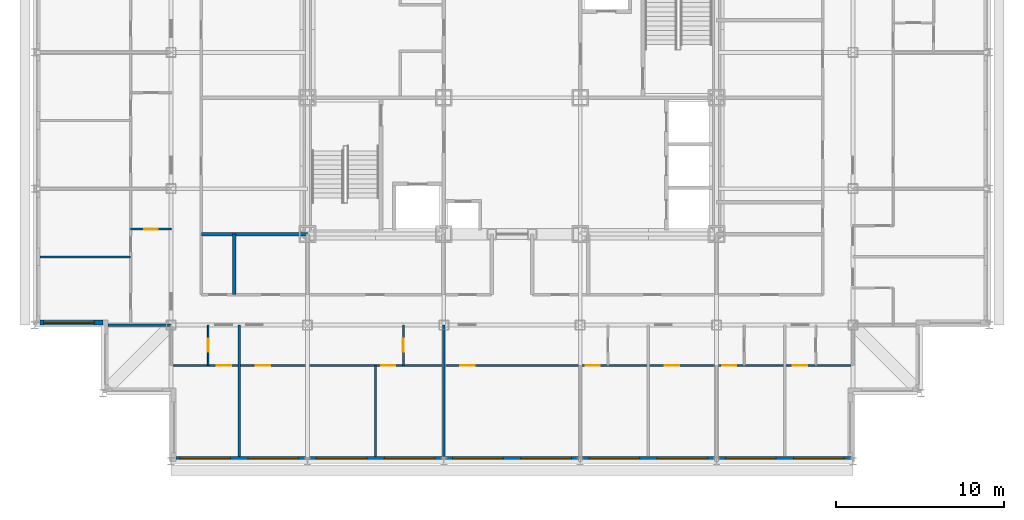
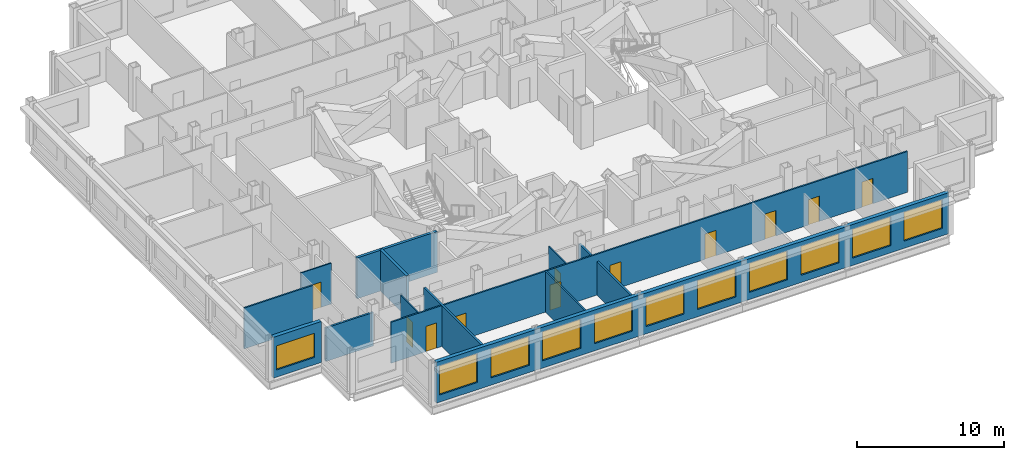
# One storey, part 4 of 12: 13 walls, 11 doors, 11 windows, 22 openings.
"""IFC4 building model written with IfcOpenShell, lengths in metres."""

from ifc_helpers import new_model, si_unit, direction, frame, frame_2d, origin, place, context, subcontext, project, spatial, rectangle, extrude, material, layer, layer_set, type_object, element, fill, save


model = new_model("IFC4")

# Units and contexts
model_context = context("Model", 3, precision=1e-05, world=origin(), true_north=direction((0.0, 1.0)))
body_context = subcontext(model_context, "Body", "Model", "MODEL_VIEW")
ifc_project = project(units=[si_unit("LENGTHUNIT", "METRE"), si_unit("AREAUNIT", "SQUARE_METRE"), si_unit("VOLUMEUNIT", "CUBIC_METRE"), si_unit("PLANEANGLEUNIT", "RADIAN"), si_unit("MASSUNIT", "GRAM", prefix="KILO")], contexts=[model_context])

# Site, building, storey
site_placement = place(None, origin())
site = spatial("IfcSite", under=ifc_project, at=site_placement, CompositionType="ELEMENT")
building_placement = place(site_placement, origin())
building = spatial("IfcBuilding", under=site, at=building_placement, Name="Kopane Lantern Tower", CompositionType="ELEMENT")
storey_placement = place(building_placement, frame((0.0, 0.0, 199.199951171875)))
storey = spatial("IfcBuildingStorey", under=building, at=storey_placement, Name="L51", CompositionType="ELEMENT", Elevation=199.199951171875)

# Walls
ifc_material_1 = material(Name="Gypsum board on steel studs", Category="steel")
ifc_layer_1 = layer(ifc_material_1, 0.1201171875)
ifc_layer_set_1 = layer_set([ifc_layer_1], Name="APARTMENT INTERNAL WALL 120")
wall_type_1 = type_object("IfcWallType", Name="APARTMENT INTERNAL WALL 120", PredefinedType="PARTITIONING", material=ifc_layer_set_1)
for number, where, z_axis, x_axis, name in (
    (1, (20.25, 16.5, 0.0), (0.0, 0.0, 1.0), (0.0, -1.0, 0.0), "Apartment Internal Wall 120 L51"),
    (2, (5.699951171875, 22.949951171875, 0.0), (0.0, 0.0, 1.0), (-1.0, 0.0, 0.0), "Apartment Internal Wall 120 L51"),
):
    element("IfcWall", number, at=place(storey_placement, frame(where, z_axis=z_axis, x_axis=x_axis)), inside=storey, type_object=wall_type_1, Name=name, PredefinedType="PARTITIONING", context=body_context, shape_type="SweptSolid", body=[
        extrude(rectangle(XDim=5.39990234375, YDim=0.1201171875, at=frame_2d((2.699951171875, 0.0))), origin(), (0.0, 0.0, 1.0), 3.39013671875),
    ])

# Wall, openings, doors
wall_1_placement = place(storey_placement, frame((8.10009765625, 16.5, 0.0), z_axis=(0.0, 0.0, 1.0), x_axis=(1.0, 0.0, 0.0)))
wall_1 = element("IfcWall", 3, at=wall_1_placement, inside=storey, type_object=wall_type_1, Name="Apartment Internal Wall 120 L51", PredefinedType="PARTITIONING", context=body_context, shape_type="SweptSolid", body=[
    extrude(rectangle(XDim=40.5, YDim=0.1201171875, at=frame_2d((20.25, 0.0))), origin(), (0.0, 0.0, 1.0), 3.39013671875),
])
opening_1_placement = place(wall_1_placement, frame((5.02490234375, 0.0, 0.0)))
opening_1 = element("IfcOpeningElement", 4, at=opening_1_placement, cuts=wall_1, Name="Opening L51-016", PredefinedType="OPENING", context=body_context, shape_type="SweptSolid", body=[
    extrude(rectangle(XDim=0.85009765625, YDim=2.10009765625, at=frame_2d((0.425048828125, 1.050048828125))), frame((0.0, 0.070068359375, 0.0), z_axis=(0.0, -1.0, 0.0), x_axis=(1.0, 0.0, 0.0)), (0.0, 0.0, 1.0), 0.14013671875),
])
opening_2_placement = place(wall_1_placement, frame((12.47509765625, 0.0, 0.0)))
opening_2 = element("IfcOpeningElement", 5, at=opening_2_placement, cuts=wall_1, Name="Opening L51-017", PredefinedType="OPENING", context=body_context, shape_type="SweptSolid", body=[
    extrude(rectangle(XDim=0.85009765625, YDim=2.10009765625, at=frame_2d((0.425048828125, 1.050048828125))), frame((0.0, 0.070068359375, 0.0), z_axis=(0.0, -1.0, 0.0), x_axis=(1.0, 0.0, 0.0)), (0.0, 0.0, 1.0), 0.14013671875),
])
opening_3_placement = place(wall_1_placement, frame((17.175048828125, 0.0, 0.0)))
opening_3 = element("IfcOpeningElement", 6, at=opening_3_placement, cuts=wall_1, Name="Opening L51-020", PredefinedType="OPENING", context=body_context, shape_type="SweptSolid", body=[
    extrude(rectangle(XDim=0.85009765625, YDim=2.10009765625, at=frame_2d((0.425048828125, 1.050048828125))), frame((0.0, 0.070068359375, 0.0), z_axis=(0.0, -1.0, 0.0), x_axis=(1.0, 0.0, 0.0)), (0.0, 0.0, 1.0), 0.14013671875),
])
opening_4_placement = place(wall_1_placement, frame((24.625, 0.0, 0.0)))
opening_4 = element("IfcOpeningElement", 7, at=opening_4_placement, cuts=wall_1, Name="Opening L51-021", PredefinedType="OPENING", context=body_context, shape_type="SweptSolid", body=[
    extrude(rectangle(XDim=0.85009765625, YDim=2.10009765625, at=frame_2d((0.425048828125, 1.050048828125))), frame((0.0, 0.070068359375, 0.0), z_axis=(0.0, -1.0, 0.0), x_axis=(1.0, 0.0, 0.0)), (0.0, 0.0, 1.0), 0.14013671875),
])
opening_5_placement = place(wall_1_placement, frame((29.324951171875, 0.0, 0.0)))
opening_5 = element("IfcOpeningElement", 8, at=opening_5_placement, cuts=wall_1, Name="Opening L51-024", PredefinedType="OPENING", context=body_context, shape_type="SweptSolid", body=[
    extrude(rectangle(XDim=0.85009765625, YDim=2.10009765625, at=frame_2d((0.425048828125, 1.050048828125))), frame((0.0, 0.070068359375, 0.0), z_axis=(0.0, -1.0, 0.0), x_axis=(1.0, 0.0, 0.0)), (0.0, 0.0, 1.0), 0.14013671875),
])
opening_6_placement = place(wall_1_placement, frame((32.72509765625, 0.0, 0.0)))
opening_6 = element("IfcOpeningElement", 9, at=opening_6_placement, cuts=wall_1, Name="Opening L51-025", PredefinedType="OPENING", context=body_context, shape_type="SweptSolid", body=[
    extrude(rectangle(XDim=0.85009765625, YDim=2.10009765625, at=frame_2d((0.425048828125, 1.050048828125))), frame((0.0, 0.070068359375, 0.0), z_axis=(0.0, -1.0, 0.0), x_axis=(1.0, 0.0, 0.0)), (0.0, 0.0, 1.0), 0.14013671875),
])
opening_7_placement = place(wall_1_placement, frame((2.72509765625, 0.0, 0.0)))
opening_7 = element("IfcOpeningElement", 10, at=opening_7_placement, cuts=wall_1, Name="Opening L51-064", PredefinedType="OPENING", context=body_context, shape_type="SweptSolid", body=[
    extrude(rectangle(XDim=0.85009765625, YDim=2.10009765625, at=frame_2d((0.425048828125, 1.050048828125))), frame((0.0, 0.070068359375, 0.0), z_axis=(0.0, -1.0, 0.0), x_axis=(1.0, 0.0, 0.0)), (0.0, 0.0, 1.0), 0.14013671875),
])
opening_8_placement = place(wall_1_placement, frame((36.925048828125, 0.0, 0.0)))
opening_8 = element("IfcOpeningElement", 11, at=opening_8_placement, cuts=wall_1, Name="Opening L51-067", PredefinedType="OPENING", context=body_context, shape_type="SweptSolid", body=[
    extrude(rectangle(XDim=0.85009765625, YDim=2.10009765625, at=frame_2d((0.425048828125, 1.050048828125))), frame((0.0, 0.070068359375, 0.0), z_axis=(0.0, -1.0, 0.0), x_axis=(1.0, 0.0, 0.0)), (0.0, 0.0, 1.0), 0.14013671875),
])
ifc_material_2 = material(Name="Timber door set", Category="wood")
door_type_1 = type_object("IfcDoorType", Name="DOOR D4 850x2100", OperationType="SINGLE_SWING_LEFT", PredefinedType="DOOR", material=ifc_material_2)
door_1_placement = place(opening_1_placement, origin())
door_1 = element("IfcDoor", 12, at=door_1_placement, inside=storey, type_object=door_type_1, Name="Door L51-016", OperationType="SINGLE_SWING_LEFT", OverallHeight=2.10009765625, OverallWidth=0.85009765625, PredefinedType="DOOR", context=body_context, shape_type="SweptSolid", body=[
    extrude(rectangle(XDim=0.85009765625, YDim=2.10009765625, at=frame_2d((0.425048828125, 1.050048828125))), frame((0.0, 0.02490234375, 0.0), z_axis=(0.0, -1.0, 0.0), x_axis=(1.0, 0.0, 0.0)), (0.0, 0.0, 1.0), 0.050048828125),
])
fill(opening_1, door_1)
door_2_placement = place(opening_2_placement, origin())
door_2 = element("IfcDoor", 13, at=door_2_placement, inside=storey, type_object=door_type_1, Name="Door L51-017", OperationType="SINGLE_SWING_RIGHT", OverallHeight=2.10009765625, OverallWidth=0.85009765625, PredefinedType="DOOR", context=body_context, shape_type="SweptSolid", body=[
    extrude(rectangle(XDim=0.85009765625, YDim=2.10009765625, at=frame_2d((0.425048828125, 1.050048828125))), frame((0.0, 0.02490234375, 0.0), z_axis=(0.0, -1.0, 0.0), x_axis=(1.0, 0.0, 0.0)), (0.0, 0.0, 1.0), 0.050048828125),
])
fill(opening_2, door_2)
door_3_placement = place(opening_3_placement, origin())
door_3 = element("IfcDoor", 14, at=door_3_placement, inside=storey, type_object=door_type_1, Name="Door L51-020", OperationType="SINGLE_SWING_RIGHT", OverallHeight=2.10009765625, OverallWidth=0.85009765625, PredefinedType="DOOR", context=body_context, shape_type="SweptSolid", body=[
    extrude(rectangle(XDim=0.85009765625, YDim=2.10009765625, at=frame_2d((0.425048828125, 1.050048828125))), frame((0.0, 0.02490234375, 0.0), z_axis=(0.0, -1.0, 0.0), x_axis=(1.0, 0.0, 0.0)), (0.0, 0.0, 1.0), 0.050048828125),
])
fill(opening_3, door_3)
door_4_placement = place(opening_4_placement, origin())
door_4 = element("IfcDoor", 15, at=door_4_placement, inside=storey, type_object=door_type_1, Name="Door L51-021", OperationType="SINGLE_SWING_RIGHT", OverallHeight=2.10009765625, OverallWidth=0.85009765625, PredefinedType="DOOR", context=body_context, shape_type="SweptSolid", body=[
    extrude(rectangle(XDim=0.85009765625, YDim=2.10009765625, at=frame_2d((0.425048828125, 1.050048828125))), frame((0.0, 0.02490234375, 0.0), z_axis=(0.0, -1.0, 0.0), x_axis=(1.0, 0.0, 0.0)), (0.0, 0.0, 1.0), 0.050048828125),
])
fill(opening_4, door_4)
door_5_placement = place(opening_5_placement, origin())
door_5 = element("IfcDoor", 16, at=door_5_placement, inside=storey, type_object=door_type_1, Name="Door L51-024", OperationType="SINGLE_SWING_LEFT", OverallHeight=2.10009765625, OverallWidth=0.85009765625, PredefinedType="DOOR", context=body_context, shape_type="SweptSolid", body=[
    extrude(rectangle(XDim=0.85009765625, YDim=2.10009765625, at=frame_2d((0.425048828125, 1.050048828125))), frame((0.0, 0.02490234375, 0.0), z_axis=(0.0, -1.0, 0.0), x_axis=(1.0, 0.0, 0.0)), (0.0, 0.0, 1.0), 0.050048828125),
])
fill(opening_5, door_5)
door_6_placement = place(opening_6_placement, origin())
door_6 = element("IfcDoor", 17, at=door_6_placement, inside=storey, type_object=door_type_1, Name="Door L51-025", OperationType="SINGLE_SWING_RIGHT", OverallHeight=2.10009765625, OverallWidth=0.85009765625, PredefinedType="DOOR", context=body_context, shape_type="SweptSolid", body=[
    extrude(rectangle(XDim=0.85009765625, YDim=2.10009765625, at=frame_2d((0.425048828125, 1.050048828125))), frame((0.0, 0.02490234375, 0.0), z_axis=(0.0, -1.0, 0.0), x_axis=(1.0, 0.0, 0.0)), (0.0, 0.0, 1.0), 0.050048828125),
])
fill(opening_6, door_6)
door_7_placement = place(opening_7_placement, origin())
door_7 = element("IfcDoor", 18, at=door_7_placement, inside=storey, type_object=door_type_1, Name="Door L51-064", OperationType="SINGLE_SWING_LEFT", OverallHeight=2.10009765625, OverallWidth=0.85009765625, PredefinedType="DOOR", context=body_context, shape_type="SweptSolid", body=[
    extrude(rectangle(XDim=0.85009765625, YDim=2.10009765625, at=frame_2d((0.425048828125, 1.050048828125))), frame((0.0, 0.02490234375, 0.0), z_axis=(0.0, -1.0, 0.0), x_axis=(1.0, 0.0, 0.0)), (0.0, 0.0, 1.0), 0.050048828125),
])
fill(opening_7, door_7)
door_8_placement = place(opening_8_placement, origin())
door_8 = element("IfcDoor", 19, at=door_8_placement, inside=storey, type_object=door_type_1, Name="Door L51-067", OperationType="SINGLE_SWING_RIGHT", OverallHeight=2.10009765625, OverallWidth=0.85009765625, PredefinedType="DOOR", context=body_context, shape_type="SweptSolid", body=[
    extrude(rectangle(XDim=0.85009765625, YDim=2.10009765625, at=frame_2d((0.425048828125, 1.050048828125))), frame((0.0, 0.02490234375, 0.0), z_axis=(0.0, -1.0, 0.0), x_axis=(1.0, 0.0, 0.0)), (0.0, 0.0, 1.0), 0.050048828125),
])
fill(opening_8, door_8)

# Wall, opening, door
ifc_material_3 = material(Name="Moisture-resistant board on steel studs", Category="steel")
ifc_layer_2 = layer(ifc_material_3, 0.10009765625)
ifc_layer_set_2 = layer_set([ifc_layer_2], Name="BATHROOM WALL 100")
wall_type_2 = type_object("IfcWallType", Name="BATHROOM WALL 100", PredefinedType="PARTITIONING", material=ifc_layer_set_2)
wall_2_placement = place(storey_placement, frame((21.89990234375, 18.89990234375, 0.0), z_axis=(0.0, 0.0, 1.0), x_axis=(0.0, -1.0, 0.0)))
wall_2 = element("IfcWall", 20, at=wall_2_placement, inside=storey, type_object=wall_type_2, Name="Bathroom Wall 100 L51", PredefinedType="PARTITIONING", context=body_context, shape_type="SweptSolid", body=[
    extrude(rectangle(XDim=2.39990234375, YDim=0.10009765625, at=frame_2d((1.199951171875, 0.0))), origin(), (0.0, 0.0, 1.0), 3.39013671875),
])
opening_9_placement = place(wall_2_placement, frame((0.800048828125, 0.0, 0.0)))
opening_9 = element("IfcOpeningElement", 21, at=opening_9_placement, cuts=wall_2, Name="Opening L51-014", PredefinedType="OPENING", context=body_context, shape_type="SweptSolid", body=[
    extrude(rectangle(XDim=0.800048828125, YDim=2.10009765625, at=frame_2d((0.39990234375, 1.050048828125))), frame((0.0, 0.06005859375, 0.0), z_axis=(0.0, -1.0, 0.0), x_axis=(1.0, 0.0, 0.0)), (0.0, 0.0, 1.0), 0.1201171875),
])
ifc_material_4 = material(Name="Timber door set", Category="wood")
door_type_2 = type_object("IfcDoorType", Name="DOOR D2 800x2100", OperationType="SINGLE_SWING_LEFT", PredefinedType="DOOR", material=ifc_material_4)
door_9_placement = place(opening_9_placement, origin())
door_9 = element("IfcDoor", 22, at=door_9_placement, inside=storey, type_object=door_type_2, Name="Door L51-014", OperationType="SINGLE_SWING_LEFT", OverallHeight=2.10009765625, OverallWidth=0.800048828125, PredefinedType="DOOR", context=body_context, shape_type="SweptSolid", body=[
    extrude(rectangle(XDim=0.800048828125, YDim=2.10009765625, at=frame_2d((0.39990234375, 1.050048828125))), frame((0.0, 0.02490234375, 0.0), z_axis=(0.0, -1.0, 0.0), x_axis=(1.0, 0.0, 0.0)), (0.0, 0.0, 1.0), 0.050048828125),
])
fill(opening_9, door_9)

wall_3_placement = place(storey_placement, frame((8.10009765625, 24.60009765625, 0.0), z_axis=(0.0, 0.0, 1.0), x_axis=(-1.0, 0.0, 0.0)))
wall_3 = element("IfcWall", 23, at=wall_3_placement, inside=storey, type_object=wall_type_2, Name="Bathroom Wall 100 L51", PredefinedType="PARTITIONING", context=body_context, shape_type="SweptSolid", body=[
    extrude(rectangle(XDim=2.400146484375, YDim=0.10009765625, at=frame_2d((1.2001953125, 0.0))), origin(), (0.0, 0.0, 1.0), 3.39013671875),
])
opening_10_placement = place(wall_3_placement, frame((0.800048828125, 0.0, 0.0)))
opening_10 = element("IfcOpeningElement", 24, at=opening_10_placement, cuts=wall_3, Name="Opening L51-040", PredefinedType="OPENING", context=body_context, shape_type="SweptSolid", body=[
    extrude(rectangle(XDim=0.800048828125, YDim=2.10009765625, at=frame_2d((0.39990234375, 1.050048828125))), frame((0.0, 0.06005859375, 0.0), z_axis=(0.0, -1.0, 0.0), x_axis=(1.0, 0.0, 0.0)), (0.0, 0.0, 1.0), 0.1201171875),
])
door_10_placement = place(opening_10_placement, origin())
door_10 = element("IfcDoor", 25, at=door_10_placement, inside=storey, type_object=door_type_2, Name="Door L51-040", OperationType="SINGLE_SWING_RIGHT", OverallHeight=2.10009765625, OverallWidth=0.800048828125, PredefinedType="DOOR", context=body_context, shape_type="SweptSolid", body=[
    extrude(rectangle(XDim=0.800048828125, YDim=2.10009765625, at=frame_2d((0.39990234375, 1.050048828125))), frame((0.0, 0.02490234375, 0.0), z_axis=(0.0, -1.0, 0.0), x_axis=(1.0, 0.0, 0.0)), (0.0, 0.0, 1.0), 0.050048828125),
])
fill(opening_10, door_10)

wall_4_placement = place(storey_placement, frame((10.300048828125, 18.89990234375, 0.0), z_axis=(0.0, 0.0, 1.0), x_axis=(0.0, -1.0, 0.0)))
wall_4 = element("IfcWall", 26, at=wall_4_placement, inside=storey, type_object=wall_type_2, Name="Bathroom Wall 100 L51", PredefinedType="PARTITIONING", context=body_context, shape_type="SweptSolid", body=[
    extrude(rectangle(XDim=2.39990234375, YDim=0.10009765625, at=frame_2d((1.199951171875, 0.0))), origin(), (0.0, 0.0, 1.0), 3.39013671875),
])
opening_11_placement = place(wall_4_placement, frame((0.800048828125, 0.0, 0.0)))
opening_11 = element("IfcOpeningElement", 27, at=opening_11_placement, cuts=wall_4, Name="Opening L51-062", PredefinedType="OPENING", context=body_context, shape_type="SweptSolid", body=[
    extrude(rectangle(XDim=0.800048828125, YDim=2.10009765625, at=frame_2d((0.39990234375, 1.050048828125))), frame((0.0, 0.06005859375, 0.0), z_axis=(0.0, -1.0, 0.0), x_axis=(1.0, 0.0, 0.0)), (0.0, 0.0, 1.0), 0.1201171875),
])
door_11_placement = place(opening_11_placement, origin())
door_11 = element("IfcDoor", 28, at=door_11_placement, inside=storey, type_object=door_type_2, Name="Door L51-062", OperationType="SINGLE_SWING_RIGHT", OverallHeight=2.10009765625, OverallWidth=0.800048828125, PredefinedType="DOOR", context=body_context, shape_type="SweptSolid", body=[
    extrude(rectangle(XDim=0.800048828125, YDim=2.10009765625, at=frame_2d((0.39990234375, 1.050048828125))), frame((0.0, 0.02490234375, 0.0), z_axis=(0.0, -1.0, 0.0), x_axis=(1.0, 0.0, 0.0)), (0.0, 0.0, 1.0), 0.050048828125),
])
fill(opening_11, door_11)

# Walls
ifc_material_5 = material(Name="Gypsum board on steel studs", Category="steel")
ifc_layer_3 = layer(ifc_material_5, 0.14990234375)
ifc_layer_set_3 = layer_set([ifc_layer_3], Name="DEMISING WALL 150 EI 60")
wall_type_3 = type_object("IfcWallType", Name="DEMISING WALL 150 EI 60", PredefinedType="PARTITIONING", material=ifc_layer_set_3)
wall_5_placement = place(storey_placement, frame((24.300048828125, 18.89990234375, 0.0), z_axis=(0.0, 0.0, 1.0), x_axis=(0.0, -1.0, 0.0)))
element("IfcWall", 29, at=wall_5_placement, inside=storey, type_object=wall_type_3, Name="Demising Wall 150 Ei 60 L51", PredefinedType="PARTITIONING", context=body_context, shape_type="SweptSolid", body=[
    extrude(rectangle(XDim=7.7998046875, YDim=0.14990234375, at=frame_2d((3.89990234375, 0.0))), origin(), (0.0, 0.0, 1.0), 2.77783203125),
])
wall_6_placement = place(storey_placement, frame((4.35009765625, 18.89990234375, 0.0), z_axis=(0.0, 0.0, 1.0), x_axis=(1.0, 0.0, 0.0)))
element("IfcWall", 30, at=wall_6_placement, inside=storey, type_object=wall_type_3, Name="Demising Wall 150 Ei 60 L51", PredefinedType="PARTITIONING", context=body_context, shape_type="SweptSolid", body=[
    extrude(rectangle(XDim=3.75, YDim=0.14990234375, at=frame_2d((1.875, 0.0))), origin(), (0.0, 0.0, 1.0), 2.77783203125),
])
wall_7_placement = place(storey_placement, frame((12.14990234375, 18.89990234375, 0.0), z_axis=(0.0, 0.0, 1.0), x_axis=(0.0, -1.0, 0.0)))
element("IfcWall", 31, at=wall_7_placement, inside=storey, type_object=wall_type_3, Name="Demising Wall 150 Ei 60 L51", PredefinedType="PARTITIONING", context=body_context, shape_type="SweptSolid", body=[
    extrude(rectangle(XDim=7.7998046875, YDim=0.14990234375, at=frame_2d((3.89990234375, 0.0))), origin(), (0.0, 0.0, 1.0), 3.39013671875),
])

# Wall, openings, windows
ifc_material_6 = material(Name="Terracotta rainscreen on light steel framing", Category="masonry")
ifc_layer_4 = layer(ifc_material_6, 0.300048828125)
ifc_layer_set_4 = layer_set([ifc_layer_4], Name="EXTERNAL WALL EW1 300 TERRACOTTA")
wall_type_4 = type_object("IfcWallType", Name="EXTERNAL WALL EW1 300 TERRACOTTA", PredefinedType="SOLIDWALL", material=ifc_layer_set_4)
wall_8_placement = place(storey_placement, frame((8.39990234375, 10.949951171875, 0.0), z_axis=(0.0, 0.0, 1.0), x_axis=(1.0, 0.0, 0.0)))
wall_8 = element("IfcWall", 32, at=wall_8_placement, inside=storey, type_object=wall_type_4, Name="External wall S L51", PredefinedType="SOLIDWALL", context=body_context, shape_type="SweptSolid", body=[
    extrude(rectangle(XDim=40.2001953125, YDim=0.300048828125, at=frame_2d((20.10009765625, 0.0))), origin(), (0.0, 0.0, 1.0), 3.39013671875),
])
opening_12_placement = place(wall_8_placement, frame((0.22509765625, 0.0, 0.60009765625)))
opening_12 = element("IfcOpeningElement", 33, at=opening_12_placement, cuts=wall_8, Name="Opening WR300240", PredefinedType="OPENING", context=body_context, shape_type="SweptSolid", body=[
    extrude(rectangle(XDim=3.0, YDim=2.39990234375, at=frame_2d((1.5, 1.199951171875))), frame((0.0, 0.159912109375, 0.0), z_axis=(0.0, -1.0, 0.0), x_axis=(1.0, 0.0, 0.0)), (0.0, 0.0, 1.0), 0.320068359375),
])
opening_13_placement = place(wall_8_placement, frame((4.27490234375, 0.0, 0.60009765625)))
opening_13 = element("IfcOpeningElement", 34, at=opening_13_placement, cuts=wall_8, Name="Opening WR300240", PredefinedType="OPENING", context=body_context, shape_type="SweptSolid", body=[
    extrude(rectangle(XDim=3.0, YDim=2.39990234375, at=frame_2d((1.5, 1.199951171875))), frame((0.0, 0.159912109375, 0.0), z_axis=(0.0, -1.0, 0.0), x_axis=(1.0, 0.0, 0.0)), (0.0, 0.0, 1.0), 0.320068359375),
])
opening_14_placement = place(wall_8_placement, frame((8.324951171875, 0.0, 0.60009765625)))
opening_14 = element("IfcOpeningElement", 35, at=opening_14_placement, cuts=wall_8, Name="Opening WR300240", PredefinedType="OPENING", context=body_context, shape_type="SweptSolid", body=[
    extrude(rectangle(XDim=3.0, YDim=2.39990234375, at=frame_2d((1.5, 1.199951171875))), frame((0.0, 0.159912109375, 0.0), z_axis=(0.0, -1.0, 0.0), x_axis=(1.0, 0.0, 0.0)), (0.0, 0.0, 1.0), 0.320068359375),
])
opening_15_placement = place(wall_8_placement, frame((12.375, 0.0, 0.60009765625)))
opening_15 = element("IfcOpeningElement", 36, at=opening_15_placement, cuts=wall_8, Name="Opening WR300240", PredefinedType="OPENING", context=body_context, shape_type="SweptSolid", body=[
    extrude(rectangle(XDim=3.0, YDim=2.39990234375, at=frame_2d((1.5, 1.199951171875))), frame((0.0, 0.159912109375, 0.0), z_axis=(0.0, -1.0, 0.0), x_axis=(1.0, 0.0, 0.0)), (0.0, 0.0, 1.0), 0.320068359375),
])
opening_16_placement = place(wall_8_placement, frame((16.425048828125, 0.0, 0.60009765625)))
opening_16 = element("IfcOpeningElement", 37, at=opening_16_placement, cuts=wall_8, Name="Opening WR300240", PredefinedType="OPENING", context=body_context, shape_type="SweptSolid", body=[
    extrude(rectangle(XDim=3.0, YDim=2.39990234375, at=frame_2d((1.5, 1.199951171875))), frame((0.0, 0.159912109375, 0.0), z_axis=(0.0, -1.0, 0.0), x_axis=(1.0, 0.0, 0.0)), (0.0, 0.0, 1.0), 0.320068359375),
])
opening_17_placement = place(wall_8_placement, frame((20.47509765625, 0.0, 0.60009765625)))
opening_17 = element("IfcOpeningElement", 38, at=opening_17_placement, cuts=wall_8, Name="Opening WR300240", PredefinedType="OPENING", context=body_context, shape_type="SweptSolid", body=[
    extrude(rectangle(XDim=3.0, YDim=2.39990234375, at=frame_2d((1.5, 1.199951171875))), frame((0.0, 0.159912109375, 0.0), z_axis=(0.0, -1.0, 0.0), x_axis=(1.0, 0.0, 0.0)), (0.0, 0.0, 1.0), 0.320068359375),
])
opening_18_placement = place(wall_8_placement, frame((24.52490234375, 0.0, 0.60009765625)))
opening_18 = element("IfcOpeningElement", 39, at=opening_18_placement, cuts=wall_8, Name="Opening WR300240", PredefinedType="OPENING", context=body_context, shape_type="SweptSolid", body=[
    extrude(rectangle(XDim=3.0, YDim=2.39990234375, at=frame_2d((1.5, 1.199951171875))), frame((0.0, 0.159912109375, 0.0), z_axis=(0.0, -1.0, 0.0), x_axis=(1.0, 0.0, 0.0)), (0.0, 0.0, 1.0), 0.320068359375),
])
opening_19_placement = place(wall_8_placement, frame((28.574951171875, 0.0, 0.60009765625)))
opening_19 = element("IfcOpeningElement", 40, at=opening_19_placement, cuts=wall_8, Name="Opening WR300240", PredefinedType="OPENING", context=body_context, shape_type="SweptSolid", body=[
    extrude(rectangle(XDim=3.0, YDim=2.39990234375, at=frame_2d((1.5, 1.199951171875))), frame((0.0, 0.159912109375, 0.0), z_axis=(0.0, -1.0, 0.0), x_axis=(1.0, 0.0, 0.0)), (0.0, 0.0, 1.0), 0.320068359375),
])
opening_20_placement = place(wall_8_placement, frame((32.625, 0.0, 0.60009765625)))
opening_20 = element("IfcOpeningElement", 41, at=opening_20_placement, cuts=wall_8, Name="Opening WR300240", PredefinedType="OPENING", context=body_context, shape_type="SweptSolid", body=[
    extrude(rectangle(XDim=3.0, YDim=2.39990234375, at=frame_2d((1.5, 1.199951171875))), frame((0.0, 0.159912109375, 0.0), z_axis=(0.0, -1.0, 0.0), x_axis=(1.0, 0.0, 0.0)), (0.0, 0.0, 1.0), 0.320068359375),
])
opening_21_placement = place(wall_8_placement, frame((36.675048828125, 0.0, 0.60009765625)))
opening_21 = element("IfcOpeningElement", 42, at=opening_21_placement, cuts=wall_8, Name="Opening WR300240", PredefinedType="OPENING", context=body_context, shape_type="SweptSolid", body=[
    extrude(rectangle(XDim=3.0, YDim=2.39990234375, at=frame_2d((1.5, 1.199951171875))), frame((0.0, 0.159912109375, 0.0), z_axis=(0.0, -1.0, 0.0), x_axis=(1.0, 0.0, 0.0)), (0.0, 0.0, 1.0), 0.320068359375),
])
ifc_material_7 = material(Name="Aluminium and clear glass", Category="aluminium")
window_type_1 = type_object("IfcWindowType", Name="RIBBON WINDOW WR300240 3000x2400", PartitioningType="SINGLE_PANEL", PredefinedType="WINDOW", material=ifc_material_7)
window_1_placement = place(opening_12_placement, origin())
window_1 = element("IfcWindow", 43, at=window_1_placement, inside=storey, type_object=window_type_1, Name="Window S L51", OverallHeight=2.39990234375, OverallWidth=3.0, PartitioningType="SINGLE_PANEL", PredefinedType="WINDOW", context=body_context, shape_type="SweptSolid", body=[
    extrude(rectangle(XDim=3.0, YDim=2.39990234375, at=frame_2d((1.5, 1.199951171875))), frame((0.0, 0.030029296875, 0.0), z_axis=(0.0, -1.0, 0.0), x_axis=(1.0, 0.0, 0.0)), (0.0, 0.0, 1.0), 0.06005859375),
])
fill(opening_12, window_1)
window_2_placement = place(opening_13_placement, origin())
window_2 = element("IfcWindow", 44, at=window_2_placement, inside=storey, type_object=window_type_1, Name="Window S L51", OverallHeight=2.39990234375, OverallWidth=3.0, PartitioningType="SINGLE_PANEL", PredefinedType="WINDOW", context=body_context, shape_type="SweptSolid", body=[
    extrude(rectangle(XDim=3.0, YDim=2.39990234375, at=frame_2d((1.5, 1.199951171875))), frame((0.0, 0.030029296875, 0.0), z_axis=(0.0, -1.0, 0.0), x_axis=(1.0, 0.0, 0.0)), (0.0, 0.0, 1.0), 0.06005859375),
])
fill(opening_13, window_2)
window_3_placement = place(opening_14_placement, origin())
window_3 = element("IfcWindow", 45, at=window_3_placement, inside=storey, type_object=window_type_1, Name="Window S L51", OverallHeight=2.39990234375, OverallWidth=3.0, PartitioningType="SINGLE_PANEL", PredefinedType="WINDOW", context=body_context, shape_type="SweptSolid", body=[
    extrude(rectangle(XDim=3.0, YDim=2.39990234375, at=frame_2d((1.5, 1.199951171875))), frame((0.0, 0.030029296875, 0.0), z_axis=(0.0, -1.0, 0.0), x_axis=(1.0, 0.0, 0.0)), (0.0, 0.0, 1.0), 0.06005859375),
])
fill(opening_14, window_3)
window_4_placement = place(opening_15_placement, origin())
window_4 = element("IfcWindow", 46, at=window_4_placement, inside=storey, type_object=window_type_1, Name="Window S L51", OverallHeight=2.39990234375, OverallWidth=3.0, PartitioningType="SINGLE_PANEL", PredefinedType="WINDOW", context=body_context, shape_type="SweptSolid", body=[
    extrude(rectangle(XDim=3.0, YDim=2.39990234375, at=frame_2d((1.5, 1.199951171875))), frame((0.0, 0.030029296875, 0.0), z_axis=(0.0, -1.0, 0.0), x_axis=(1.0, 0.0, 0.0)), (0.0, 0.0, 1.0), 0.06005859375),
])
fill(opening_15, window_4)
window_5_placement = place(opening_16_placement, origin())
window_5 = element("IfcWindow", 47, at=window_5_placement, inside=storey, type_object=window_type_1, Name="Window S L51", OverallHeight=2.39990234375, OverallWidth=3.0, PartitioningType="SINGLE_PANEL", PredefinedType="WINDOW", context=body_context, shape_type="SweptSolid", body=[
    extrude(rectangle(XDim=3.0, YDim=2.39990234375, at=frame_2d((1.5, 1.199951171875))), frame((0.0, 0.030029296875, 0.0), z_axis=(0.0, -1.0, 0.0), x_axis=(1.0, 0.0, 0.0)), (0.0, 0.0, 1.0), 0.06005859375),
])
fill(opening_16, window_5)
window_6_placement = place(opening_17_placement, origin())
window_6 = element("IfcWindow", 48, at=window_6_placement, inside=storey, type_object=window_type_1, Name="Window S L51", OverallHeight=2.39990234375, OverallWidth=3.0, PartitioningType="SINGLE_PANEL", PredefinedType="WINDOW", context=body_context, shape_type="SweptSolid", body=[
    extrude(rectangle(XDim=3.0, YDim=2.39990234375, at=frame_2d((1.5, 1.199951171875))), frame((0.0, 0.030029296875, 0.0), z_axis=(0.0, -1.0, 0.0), x_axis=(1.0, 0.0, 0.0)), (0.0, 0.0, 1.0), 0.06005859375),
])
fill(opening_17, window_6)
window_7_placement = place(opening_18_placement, origin())
window_7 = element("IfcWindow", 49, at=window_7_placement, inside=storey, type_object=window_type_1, Name="Window S L51", OverallHeight=2.39990234375, OverallWidth=3.0, PartitioningType="SINGLE_PANEL", PredefinedType="WINDOW", context=body_context, shape_type="SweptSolid", body=[
    extrude(rectangle(XDim=3.0, YDim=2.39990234375, at=frame_2d((1.5, 1.199951171875))), frame((0.0, 0.030029296875, 0.0), z_axis=(0.0, -1.0, 0.0), x_axis=(1.0, 0.0, 0.0)), (0.0, 0.0, 1.0), 0.06005859375),
])
fill(opening_18, window_7)
window_8_placement = place(opening_19_placement, origin())
window_8 = element("IfcWindow", 50, at=window_8_placement, inside=storey, type_object=window_type_1, Name="Window S L51", OverallHeight=2.39990234375, OverallWidth=3.0, PartitioningType="SINGLE_PANEL", PredefinedType="WINDOW", context=body_context, shape_type="SweptSolid", body=[
    extrude(rectangle(XDim=3.0, YDim=2.39990234375, at=frame_2d((1.5, 1.199951171875))), frame((0.0, 0.030029296875, 0.0), z_axis=(0.0, -1.0, 0.0), x_axis=(1.0, 0.0, 0.0)), (0.0, 0.0, 1.0), 0.06005859375),
])
fill(opening_19, window_8)
window_9_placement = place(opening_20_placement, origin())
window_9 = element("IfcWindow", 51, at=window_9_placement, inside=storey, type_object=window_type_1, Name="Window S L51", OverallHeight=2.39990234375, OverallWidth=3.0, PartitioningType="SINGLE_PANEL", PredefinedType="WINDOW", context=body_context, shape_type="SweptSolid", body=[
    extrude(rectangle(XDim=3.0, YDim=2.39990234375, at=frame_2d((1.5, 1.199951171875))), frame((0.0, 0.030029296875, 0.0), z_axis=(0.0, -1.0, 0.0), x_axis=(1.0, 0.0, 0.0)), (0.0, 0.0, 1.0), 0.06005859375),
])
fill(opening_20, window_9)
window_10_placement = place(opening_21_placement, origin())
window_10 = element("IfcWindow", 52, at=window_10_placement, inside=storey, type_object=window_type_1, Name="Window S L51", OverallHeight=2.39990234375, OverallWidth=3.0, PartitioningType="SINGLE_PANEL", PredefinedType="WINDOW", context=body_context, shape_type="SweptSolid", body=[
    extrude(rectangle(XDim=3.0, YDim=2.39990234375, at=frame_2d((1.5, 1.199951171875))), frame((0.0, 0.030029296875, 0.0), z_axis=(0.0, -1.0, 0.0), x_axis=(1.0, 0.0, 0.0)), (0.0, 0.0, 1.0), 0.06005859375),
])
fill(opening_21, window_10)

# Wall, opening, window
wall_9_placement = place(storey_placement, frame((0.300048828125, 19.050048828125, 0.0), z_axis=(0.0, 0.0, 1.0), x_axis=(1.0, 0.0, 0.0)))
wall_9 = element("IfcWall", 53, at=wall_9_placement, inside=storey, type_object=wall_type_4, Name="External wall S L51", PredefinedType="SOLIDWALL", context=body_context, shape_type="SweptSolid", body=[
    extrude(rectangle(XDim=3.75, YDim=0.300048828125, at=frame_2d((1.875, 0.0))), origin(), (0.0, 0.0, 1.0), 3.39013671875),
])
opening_22_placement = place(wall_9_placement, frame((0.22509765625, 0.0, 0.60009765625)))
opening_22 = element("IfcOpeningElement", 54, at=opening_22_placement, cuts=wall_9, Name="Opening WR300200", PredefinedType="OPENING", context=body_context, shape_type="SweptSolid", body=[
    extrude(rectangle(XDim=3.0, YDim=2.0, at=frame_2d((1.5, 1.0))), frame((0.0, 0.159912109375, 0.0), z_axis=(0.0, -1.0, 0.0), x_axis=(1.0, 0.0, 0.0)), (0.0, 0.0, 1.0), 0.320068359375),
])
ifc_material_8 = material(Name="Aluminium and clear glass", Category="aluminium")
window_type_2 = type_object("IfcWindowType", Name="RIBBON WINDOW WR300200 3000x2000", PartitioningType="SINGLE_PANEL", PredefinedType="WINDOW", material=ifc_material_8)
window_11_placement = place(opening_22_placement, origin())
window_11 = element("IfcWindow", 55, at=window_11_placement, inside=storey, type_object=window_type_2, Name="Window S L51", OverallHeight=2.0, OverallWidth=3.0, PartitioningType="SINGLE_PANEL", PredefinedType="WINDOW", context=body_context, shape_type="SweptSolid", body=[
    extrude(rectangle(XDim=3.0, YDim=2.0, at=frame_2d((1.5, 1.0))), frame((0.0, 0.030029296875, 0.0), z_axis=(0.0, -1.0, 0.0), x_axis=(1.0, 0.0, 0.0)), (0.0, 0.0, 1.0), 0.06005859375),
])
fill(opening_22, window_11)

# Walls
ifc_material_9 = material(Name="Concrete masonry", Category="masonry")
ifc_layer_5 = layer(ifc_material_9, 0.199951171875)
ifc_layer_set_5 = layer_set([ifc_layer_5], Name="PLANT ROOM WALL 200 EI 120")
wall_type_5 = type_object("IfcWallType", Name="PLANT ROOM WALL 200 EI 120", PredefinedType="SOLIDWALL", material=ifc_layer_set_5)
wall_10_placement = place(storey_placement, frame((11.844482421875, 20.699951171875, 0.0), z_axis=(0.0, 0.0, 1.0), x_axis=(0.0, 1.0, 0.0)))
element("IfcWall", 56, at=wall_10_placement, inside=storey, type_object=wall_type_5, Name="Plant Room Wall 200 Ei 120 L51", PredefinedType="SOLIDWALL", context=body_context, shape_type="SweptSolid", body=[
    extrude(rectangle(XDim=3.60009765625, YDim=0.199951171875, at=frame_2d((1.800048828125, 0.0))), origin(), (0.0, 0.0, 1.0), 3.39013671875),
])
wall_11_placement = place(storey_placement, frame((9.89990234375, 24.300048828125, 0.0), z_axis=(0.0, 0.0, 1.0), x_axis=(1.0, 0.0, 0.0)))
element("IfcWall", 57, at=wall_11_placement, inside=storey, type_object=wall_type_5, Name="Plant Room Wall 200 Ei 120 L51", PredefinedType="SOLIDWALL", context=body_context, shape_type="SweptSolid", body=[
    extrude(rectangle(XDim=6.300048828125, YDim=0.199951171875, at=frame_2d((3.14990234375, 0.0))), origin(), (0.0, 0.0, 1.0), 3.39013671875),
])

save(model, "model.ifc")
